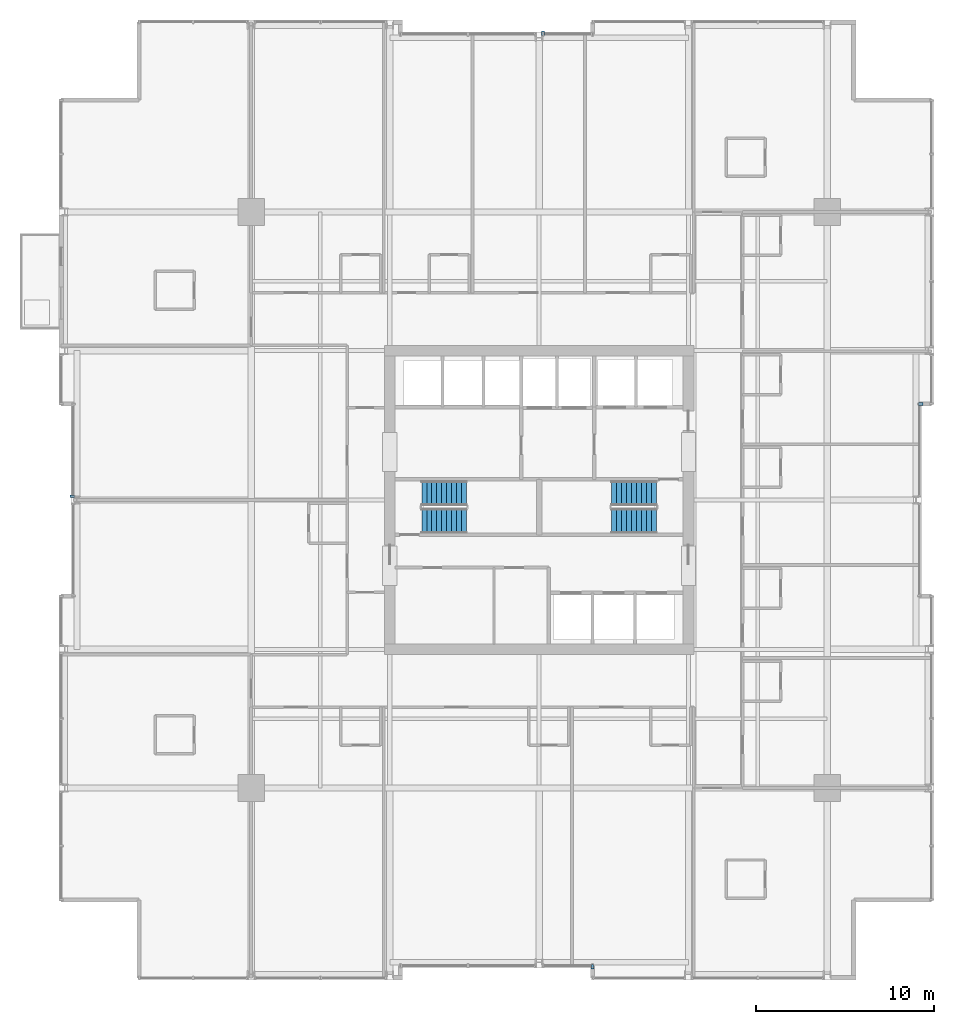
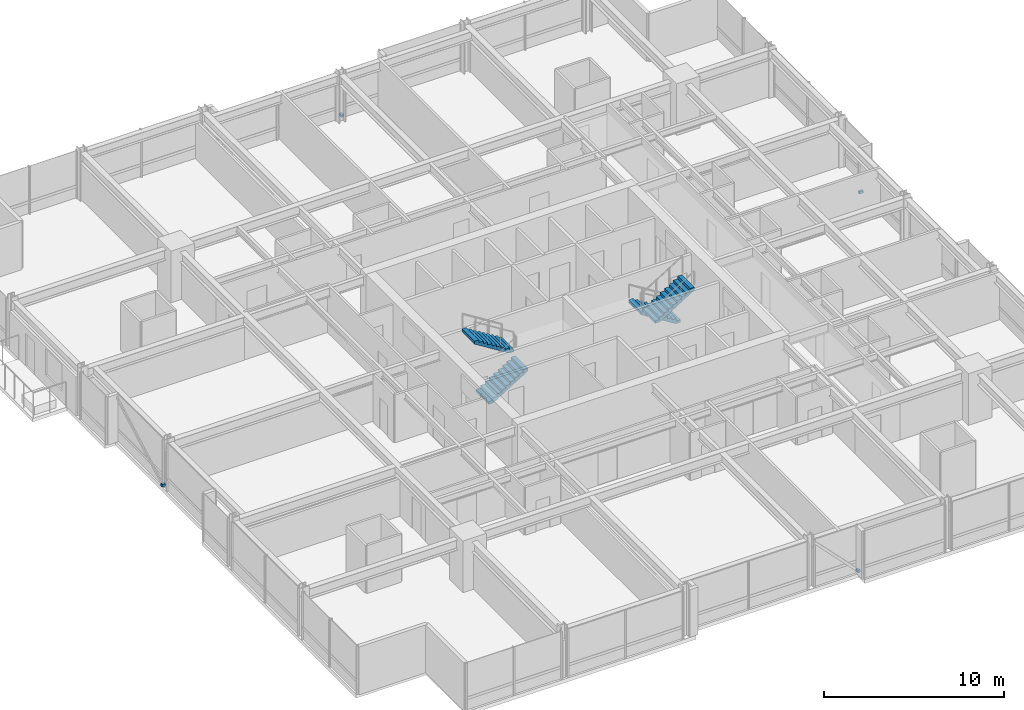
# One storey, part 32 of 35: 4 discrete accessories, 4 stair flights, 2 elements without a shape of their own.
"""IFC4 building model written with IfcOpenShell, lengths in metres."""

import ifcopenshell
import ifcopenshell.guid

model = None  # the IFC model being written
_history = None  # IfcOwnerHistory: only IFC2X3 demands one
_inside = {}  # id of a spatial element -> (the spatial element, [elements in it])
_under = {}  # id of a project, library or spatial element -> (it, [spatial elements below it])
_declared = {}  # id of a project -> (the project, [libraries it declares])
_typed = {}  # id of a type object -> (the type object, [elements of that type])
_made_of = {}  # id of a material, layer set ... -> (it, [elements and type objects made of it])


def new_model(schema):
    """Start an empty IFC model of exactly this schema.

    Asked for "IFC4X3", IfcOpenShell would pick the latest addendum, in which some entities
    have other attributes; the version numbers below select the first issue.
    IFC2X3 requires an IfcOwnerHistory on every rooted entity: one is made here for all.
    """
    global model, _history
    if schema == "IFC4X3":
        model = ifcopenshell.file(schema_version=(4, 3, 0, 0))
    else:
        model = ifcopenshell.file(schema=schema)
    _inside.clear()
    _under.clear()
    _declared.clear()
    _typed.clear()
    _made_of.clear()
    _history = None
    if model.schema == "IFC2X3":
        org = make("IfcOrganization", Name="unknown")
        user = make(
            "IfcPersonAndOrganization",
            ThePerson=make("IfcPerson", FamilyName="unknown"),
            TheOrganization=org,
        )
        app = make(
            "IfcApplication",
            ApplicationDeveloper=org,
            Version="unknown",
            ApplicationFullName="unknown",
            ApplicationIdentifier="unknown",
        )
        _history = make(
            "IfcOwnerHistory",
            OwningUser=user,
            OwningApplication=app,
            ChangeAction="ADDED",
            CreationDate=0,
        )
    return model


def make(cls, **values):
    """One entity of the class cls with the attributes given. An attribute that is None is left unset."""
    return model.create_entity(
        cls, **{name: value for name, value in values.items() if value is not None}
    )


def rooted(cls, **values):
    """An entity with a GlobalId (a new one), such as an element, a storey or a relation."""
    return make(cls, GlobalId=ifcopenshell.guid.new(), OwnerHistory=_history, **values)


def si_unit(unit_type, name, prefix=None):
    """IfcSIUnit, for example si_unit("LENGTHUNIT", "METRE", prefix="MILLI")."""
    return make("IfcSIUnit", UnitType=unit_type, Prefix=prefix, Name=name)


def assignment(units):
    """IfcUnitAssignment: the units of a project."""
    return None if units is None else make("IfcUnitAssignment", Units=units)


def point(xyz):
    """IfcCartesianPoint."""
    return None if xyz is None else make("IfcCartesianPoint", Coordinates=xyz)


def direction(xyz):
    """IfcDirection."""
    return None if xyz is None else make("IfcDirection", DirectionRatios=xyz)


def frame(location, z_axis=None, x_axis=None):
    """IfcAxis2Placement3D, a coordinate frame: its origin and axes. An axis left out is left unset."""
    return make(
        "IfcAxis2Placement3D",
        Location=point(location),
        Axis=direction(z_axis),
        RefDirection=direction(x_axis),
    )


def frame_2d(location, x_axis=None):
    """IfcAxis2Placement2D, a coordinate frame in the plane: its origin and x axis."""
    return make(
        "IfcAxis2Placement2D", Location=point(location), RefDirection=direction(x_axis)
    )


def origin():
    """The frame at (0, 0, 0) with its axes left unset."""
    return frame((0.0, 0.0, 0.0))


def origin_2d():
    """The frame at (0, 0) in the plane with its x axis left unset."""
    return frame_2d((0.0, 0.0))


def place(relative_to, where):
    """IfcLocalPlacement: puts the frame where relative to a parent placement (None: the world)."""
    return make(
        "IfcLocalPlacement", PlacementRelTo=relative_to, RelativePlacement=where
    )


def context(
    kind, dimensions, precision=None, world=None, true_north=None, identifier=None
):
    """IfcGeometricRepresentationContext, for example the 3D "Model" context."""
    return make(
        "IfcGeometricRepresentationContext",
        ContextIdentifier=identifier,
        ContextType=kind,
        CoordinateSpaceDimension=dimensions,
        Precision=precision,
        WorldCoordinateSystem=world,
        TrueNorth=true_north,
    )


def subcontext(parent, identifier, kind, view, scale=None):
    """IfcGeometricRepresentationSubContext, for example "Body" below "Model"."""
    return make(
        "IfcGeometricRepresentationSubContext",
        ContextIdentifier=identifier,
        ContextType=kind,
        ParentContext=parent,
        TargetScale=scale,
        TargetView=view,
    )


def project(units=None, contexts=None):
    """IfcProject with its units and contexts."""
    return rooted(
        "IfcProject",
        Name="project",
        RepresentationContexts=contexts,
        UnitsInContext=assignment(units),
    )


def spatial(cls, under=None, at=None, **own):
    """A site, building, storey or space (cls), placed at a placement, below another one or the project."""
    s = rooted(cls, ObjectPlacement=at, **own)
    if under is not None:
        _under.setdefault(under.id(), (under, []))[1].append(s)
    return s


def polyline(points):
    """IfcPolyline through the points."""
    return make("IfcPolyline", Points=[point(p) for p in points])


def profile(cls, at=None, kind="AREA", **sizes):
    """A parametric profile (cls). Its sizes go by their IFC names, for example OverallWidth=200.0."""
    return make(cls, ProfileType=kind, Position=at, **sizes)


def rectangle(**sizes):
    """IfcRectangleProfileDef."""
    return profile("IfcRectangleProfileDef", **sizes)


def outline(outer, holes=None, kind="AREA"):
    """IfcArbitraryClosedProfileDef: a profile drawn as a closed curve; with holes, ...WithVoids."""
    if holes is None:
        return make("IfcArbitraryClosedProfileDef", ProfileType=kind, OuterCurve=outer)
    return make(
        "IfcArbitraryProfileDefWithVoids",
        ProfileType=kind,
        OuterCurve=outer,
        InnerCurves=holes,
    )


def extrude(swept, where, along, depth):
    """IfcExtrudedAreaSolid: the profile swept, set in the frame where, extruded along a direction by depth."""
    return make(
        "IfcExtrudedAreaSolid",
        SweptArea=swept,
        Position=where,
        ExtrudedDirection=direction(along),
        Depth=depth,
    )


def shape(context_of_items, identifier, shape_type, items):
    """IfcShapeRepresentation: the items that make up one representation, for example the "Body"."""
    return make(
        "IfcShapeRepresentation",
        ContextOfItems=context_of_items,
        RepresentationIdentifier=identifier,
        RepresentationType=shape_type,
        Items=items,
    )


def material(Name=None, Category=None):
    """IfcMaterial."""
    return make("IfcMaterial", Name=Name, Category=Category)


def made_of(thing, what):
    """Note that an element or type object is made of a material, layer set ...; save() writes the relation."""
    if what is not None:
        _made_of.setdefault(what.id(), (what, []))[1].append(thing)
    return thing


def type_object(cls, material=None, **own):
    """A type object (cls), such as IfcWallType, which elements share."""
    return made_of(rooted(cls, **own), material)


def element(
    cls,
    number,
    at=None,
    inside=None,
    cuts=None,
    type_object=None,
    material=None,
    context=None,
    identifier="Body",
    shape_type=None,
    held_by="IfcProductDefinitionShape",
    body=None,
    shapes=None,
    **own,
):
    """One element of the class cls, such as IfcWall. Its Tag is "e" and its number.

    at: its placement. inside: the storey or other place that contains it. cuts: it is an
    opening in that element (IfcRelVoidsElement). A single representation is given by context,
    identifier, shape_type and body (its items); several are given by shapes. held_by: the class
    of the entity that holds the representations. save() writes the other relations.
    """
    e = rooted(cls, Tag="e%d" % number, ObjectPlacement=at, **own)
    if body is not None:
        shapes = [shape(context, identifier, shape_type, body)]
    if shapes is not None:
        e.Representation = make(held_by, Representations=shapes)
    if inside is not None:
        _inside.setdefault(inside.id(), (inside, []))[1].append(e)
    if cuts is not None:
        rooted(
            "IfcRelVoidsElement", RelatingBuildingElement=cuts, RelatedOpeningElement=e
        )
    if type_object is not None:
        _typed.setdefault(type_object.id(), (type_object, []))[1].append(e)
    return made_of(e, material)


def aggregate(whole, parts):
    """IfcRelAggregates: a whole, such as a stair, and the parts it consists of."""
    return rooted("IfcRelAggregates", RelatingObject=whole, RelatedObjects=parts)


def save(model, path):
    """Write the relations noted so far, then the file.

    IfcRelAggregates (storeys below a building ...), IfcRelContainedInSpatialStructure (elements
    in a storey), IfcRelDefinesByType, IfcRelAssociatesMaterial and IfcRelDeclares: one each for
    every whole, place, type object, material and project.
    """
    for whole, parts in _under.values():
        aggregate(whole, parts)
    for where, things in _inside.values():
        rooted(
            "IfcRelContainedInSpatialStructure",
            RelatedElements=things,
            RelatingStructure=where,
        )
    for kind, things in _typed.values():
        rooted("IfcRelDefinesByType", RelatedObjects=things, RelatingType=kind)
    for what, things in _made_of.values():
        rooted("IfcRelAssociatesMaterial", RelatedObjects=things, RelatingMaterial=what)
    for by, libraries in _declared.values():
        rooted("IfcRelDeclares", RelatingContext=by, RelatedDefinitions=libraries)
    model.write(path)


model = new_model("IFC4")

# Units and contexts
model_context = context("Model", 3, precision=1e-05, world=origin(), true_north=direction((0.0, 1.0)))
body_context = subcontext(model_context, "Body", "Model", "MODEL_VIEW")
ifc_project = project(units=[si_unit("LENGTHUNIT", "METRE"), si_unit("AREAUNIT", "SQUARE_METRE"), si_unit("VOLUMEUNIT", "CUBIC_METRE"), si_unit("PLANEANGLEUNIT", "RADIAN"), si_unit("MASSUNIT", "GRAM", prefix="KILO")], contexts=[model_context])

# Site, building, storey
site_placement = place(None, origin())
site = spatial("IfcSite", under=ifc_project, at=site_placement, CompositionType="ELEMENT")
building_placement = place(site_placement, origin())
building = spatial("IfcBuilding", under=site, at=building_placement, Name="Drelvath Grand Hotel", CompositionType="ELEMENT")
storey_placement = place(building_placement, frame((0.0, 0.0, 130.300048828125)))
storey = spatial("IfcBuildingStorey", under=building, at=storey_placement, Name="L33", CompositionType="ELEMENT", Elevation=130.300048828125)

# Stair, stair flights
ifc_material_1 = material(Name="Concrete C40/50", Category="concrete")
stair_type = type_object("IfcStairType", Name="Dogleg Exit Stair W1400-R175.0", PredefinedType="HALF_TURN_STAIR", material=ifc_material_1)
stair_1_placement = place(storey_placement, origin())
stair_1 = element("IfcStair", 1, at=stair_1_placement, inside=storey, type_object=stair_type, Name="L33 Core Exit Stair ST-1", PredefinedType="HALF_TURN_STAIR")
stair_flight_type = type_object("IfcStairFlightType", Name="Concrete Stair Flight W1400-R175.0", PredefinedType="STRAIGHT", material=ifc_material_1)
stair_flight_1_placement = place(storey_placement, frame((-6.60009765625, 25.820068359375, 0.0), z_axis=(0.0, 0.0, 1.0), x_axis=(1.0, 0.0, 0.0)))
stair_flight_1 = element("IfcStairFlight", 2, at=stair_flight_1_placement, type_object=stair_flight_type, Name="ST-1 flight 1", NumberOfRisers=10, NumberOfTreads=9, PredefinedType="STRAIGHT", RiserHeight=0.175, TreadLength=0.28, context=body_context, shape_type="SweptSolid", body=[
    extrude(outline(polyline([(0.0, 0.0), (0.0, 0.175048828125), (0.280029296875, 0.175048828125), (0.280029296875, 0.35009765625), (0.56005859375, 0.35009765625), (0.56005859375, 0.52490234375), (0.840087890625, 0.52490234375), (0.840087890625, 0.699951171875), (1.1201171875, 0.699951171875), (1.1201171875, 0.875), (1.39990234375, 0.875), (1.39990234375, 1.050048828125), (1.679931640625, 1.050048828125), (1.679931640625, 1.22509765625), (1.9599609375, 1.22509765625), (1.9599609375, 1.39990234375), (2.239990234375, 1.39990234375), (2.239990234375, 1.574951171875), (2.52001953125, 1.574951171875), (2.52001953125, 1.75), (2.52001953125, 1.386474609375), (0.3017578125, 0.0), (0.0, 0.0)])), frame((0.0, 0.699951171875, 0.0), z_axis=(0.0, -1.0, 0.0), x_axis=(1.0, 0.0, 0.0)), (0.0, 0.0, 1.0), 1.39990234375),
])
stair_flight_2_placement = place(storey_placement, frame((-4.080078125, 27.3798828125, 1.75), z_axis=(0.0, 0.0, 1.0), x_axis=(-1.0, 0.0, 0.0)))
stair_flight_2 = element("IfcStairFlight", 3, at=stair_flight_2_placement, type_object=stair_flight_type, Name="ST-1 flight 2", NumberOfRisers=10, NumberOfTreads=9, PredefinedType="STRAIGHT", RiserHeight=0.175, TreadLength=0.28, context=body_context, shape_type="SweptSolid", body=[
    extrude(outline(polyline([(0.0, 0.0), (0.0, 0.175048828125), (0.280029296875, 0.175048828125), (0.280029296875, 0.35009765625), (0.56005859375, 0.35009765625), (0.56005859375, 0.52490234375), (0.840087890625, 0.52490234375), (0.840087890625, 0.699951171875), (1.1201171875, 0.699951171875), (1.1201171875, 0.875), (1.39990234375, 0.875), (1.39990234375, 1.050048828125), (1.679931640625, 1.050048828125), (1.679931640625, 1.22509765625), (1.9599609375, 1.22509765625), (1.9599609375, 1.39990234375), (2.239990234375, 1.39990234375), (2.239990234375, 1.574951171875), (2.52001953125, 1.574951171875), (2.52001953125, 1.75), (2.52001953125, 1.386474609375), (0.3017578125, 0.0), (0.0, 0.0)])), frame((0.0, 0.699951171875, 0.0), z_axis=(0.0, -1.0, 0.0), x_axis=(1.0, 0.0, 0.0)), (0.0, 0.0, 1.0), 1.39990234375),
])
aggregate(stair_1, [stair_flight_1, stair_flight_2])

stair_2_placement = place(storey_placement, origin())
stair_2 = element("IfcStair", 4, at=stair_2_placement, inside=storey, type_object=stair_type, Name="L33 Core Exit Stair ST-2", PredefinedType="HALF_TURN_STAIR")
stair_flight_3_placement = place(storey_placement, frame((6.60009765625, 27.3798828125, 0.0), z_axis=(0.0, 0.0, 1.0), x_axis=(-1.0, 0.0, 0.0)))
stair_flight_3 = element("IfcStairFlight", 5, at=stair_flight_3_placement, type_object=stair_flight_type, Name="ST-2 flight 1", NumberOfRisers=10, NumberOfTreads=9, PredefinedType="STRAIGHT", RiserHeight=0.175, TreadLength=0.28, context=body_context, shape_type="SweptSolid", body=[
    extrude(outline(polyline([(0.0, 0.0), (0.0, 0.175048828125), (0.280029296875, 0.175048828125), (0.280029296875, 0.35009765625), (0.56005859375, 0.35009765625), (0.56005859375, 0.52490234375), (0.840087890625, 0.52490234375), (0.840087890625, 0.699951171875), (1.1201171875, 0.699951171875), (1.1201171875, 0.875), (1.39990234375, 0.875), (1.39990234375, 1.050048828125), (1.679931640625, 1.050048828125), (1.679931640625, 1.22509765625), (1.9599609375, 1.22509765625), (1.9599609375, 1.39990234375), (2.239990234375, 1.39990234375), (2.239990234375, 1.574951171875), (2.52001953125, 1.574951171875), (2.52001953125, 1.75), (2.52001953125, 1.386474609375), (0.3017578125, 0.0), (0.0, 0.0)])), frame((0.0, 0.699951171875, 0.0), z_axis=(0.0, -1.0, 0.0), x_axis=(1.0, 0.0, 0.0)), (0.0, 0.0, 1.0), 1.39990234375),
])
stair_flight_4_placement = place(storey_placement, frame((4.080078125, 25.820068359375, 1.75), z_axis=(0.0, 0.0, 1.0), x_axis=(1.0, 0.0, 0.0)))
stair_flight_4 = element("IfcStairFlight", 6, at=stair_flight_4_placement, type_object=stair_flight_type, Name="ST-2 flight 2", NumberOfRisers=10, NumberOfTreads=9, PredefinedType="STRAIGHT", RiserHeight=0.175, TreadLength=0.28, context=body_context, shape_type="SweptSolid", body=[
    extrude(outline(polyline([(0.0, 0.0), (0.0, 0.175048828125), (0.280029296875, 0.175048828125), (0.280029296875, 0.35009765625), (0.56005859375, 0.35009765625), (0.56005859375, 0.52490234375), (0.840087890625, 0.52490234375), (0.840087890625, 0.699951171875), (1.1201171875, 0.699951171875), (1.1201171875, 0.875), (1.39990234375, 0.875), (1.39990234375, 1.050048828125), (1.679931640625, 1.050048828125), (1.679931640625, 1.22509765625), (1.9599609375, 1.22509765625), (1.9599609375, 1.39990234375), (2.239990234375, 1.39990234375), (2.239990234375, 1.574951171875), (2.52001953125, 1.574951171875), (2.52001953125, 1.75), (2.52001953125, 1.386474609375), (0.3017578125, 0.0), (0.0, 0.0)])), frame((0.0, 0.699951171875, 0.0), z_axis=(0.0, -1.0, 0.0), x_axis=(1.0, 0.0, 0.0)), (0.0, 0.0, 1.0), 1.39990234375),
])
aggregate(stair_2, [stair_flight_3, stair_flight_4])

# Discrete accessories
ifc_material_2 = material(Name="Stainless Steel Grade 316", Category="steel")
discrete_accessory_type = type_object("IfcDiscreteAccessoryType", Name="Curtain Wall Fin Mounting Bracket Cleat", PredefinedType="BRACKET", material=ifc_material_2)
for number, where, z_axis, x_axis, name in (
    (7, (-26.260009765625, 27.20947265625, 0.10009765625), (0.0, 0.0, 1.0), (0.0, 1.0, 0.0), "L33 Fin Mounting Bracket CW03-L33-WM2-1"),
    (8, (21.4599609375, 32.39990234375, 0.10009765625), (0.0, 0.0, 1.0), (0.0, -1.0, 0.0), "L33 Fin Mounting Bracket CW03-L33-EM2-1"),
    (9, (0.20947265625, 53.260009765625, 0.10009765625), (0.0, 0.0, 1.0), (1.0, 0.0, 0.0), "L33 Fin Mounting Bracket CW03-L33-NM2-1"),
    (10, (3.0, 0.739990234375, 0.10009765625), (0.0, 0.0, 1.0), (-1.0, 0.0, 0.0), "L33 Fin Mounting Bracket CW03-L33-SM2-1"),
):
    element("IfcDiscreteAccessory", number, at=place(storey_placement, frame(where, z_axis=z_axis, x_axis=x_axis)), inside=storey, type_object=discrete_accessory_type, Name=name, PredefinedType="BRACKET", context=body_context, shape_type="SweptSolid", body=[
        extrude(rectangle(XDim=0.159912109375, YDim=0.239990234375, at=origin_2d()), origin(), (0.0, 0.0, 1.0), 0.159912109375),
    ])

save(model, "model.ifc")
